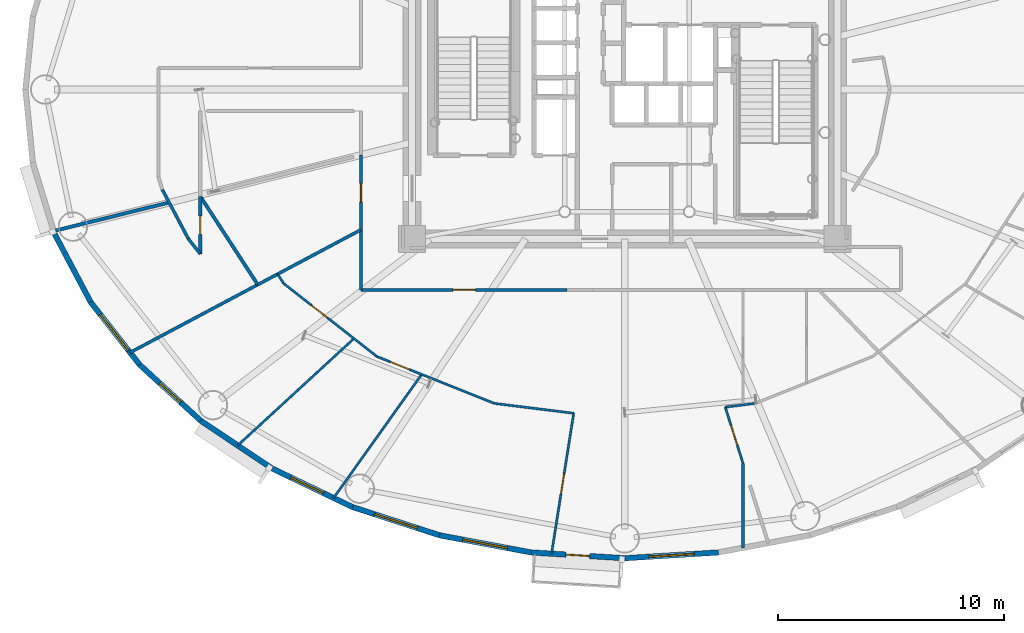
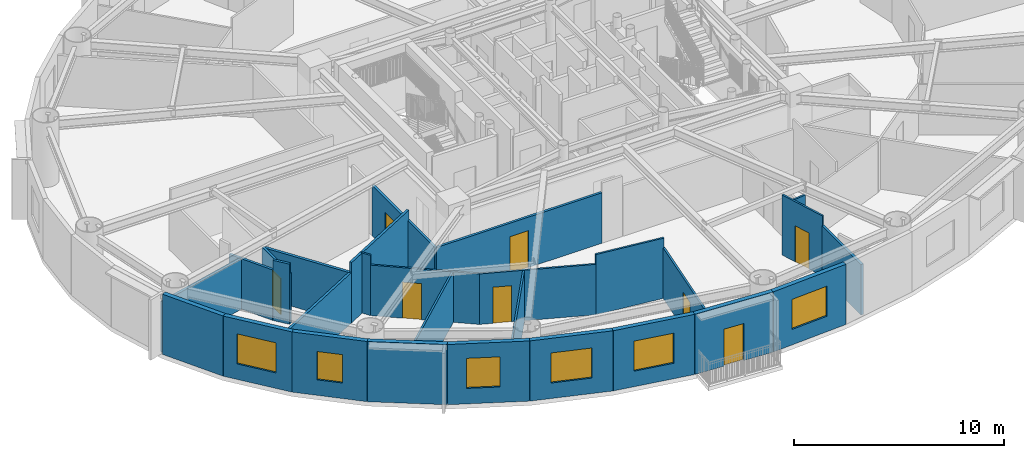
# One storey, part 8 of 19: 29 walls, 8 doors, 6 windows, 14 openings.
"""IFC4 building model written with IfcOpenShell, lengths in metres."""

from ifc_helpers import new_model, si_unit, direction, frame, frame_2d, origin, origin_2d, place, context, subcontext, project, spatial, rectangle, extrude, source, transform, mapped, material, layer, layer_set, type_object, element, fill, save


model = new_model("IFC4")

# Units and contexts
model_context = context("Model", 3, precision=1e-05, world=origin(), true_north=direction((0.0, 1.0)))
body_context = subcontext(model_context, "Body", "Model", "MODEL_VIEW")
ifc_project = project(units=[si_unit("LENGTHUNIT", "METRE"), si_unit("AREAUNIT", "SQUARE_METRE"), si_unit("VOLUMEUNIT", "CUBIC_METRE"), si_unit("PLANEANGLEUNIT", "RADIAN"), si_unit("MASSUNIT", "GRAM", prefix="KILO")], contexts=[model_context])

# Site, building, storey
site_placement = place(None, origin())
site = spatial("IfcSite", under=ifc_project, at=site_placement, CompositionType="ELEMENT")
building_placement = place(site_placement, origin())
building = spatial("IfcBuilding", under=site, at=building_placement, Name="Linh Dai School and Residence Tower", CompositionType="ELEMENT")
storey_placement = place(building_placement, frame((0.0, 0.0, 193.64990234375)))
storey = spatial("IfcBuildingStorey", under=building, at=storey_placement, Name="L47", CompositionType="ELEMENT", Elevation=193.64990234375)

# Wall
ifc_material_1 = material(Name="Precast Concrete B45 (C35/45)", Category="concrete")
ifc_layer_1 = layer(ifc_material_1, 0.239990234375)
ifc_layer_set_1 = layer_set([ifc_layer_1], Name="Precast Concrete B45 (C35/45)")
wall_type_1 = type_object("IfcWallType", Name="EW-TC-240", PredefinedType="SOLIDWALL", material=ifc_layer_set_1)
wall_1_placement = place(storey_placement, frame((12.404052734375, 17.611572265625, 0.0), z_axis=(0.0, 0.0, 1.0), x_axis=(-0.467586874938, 0.88394712194, 0.0)))
element("IfcWall", 1, at=wall_1_placement, inside=storey, type_object=wall_type_1, Name="L47 Terracotta Exterior Wall 23", PredefinedType="SOLIDWALL", context=body_context, shape_type="SweptSolid", body=[
    extrude(rectangle(XDim=3.393310546875, YDim=0.239990234375, at=frame_2d((1.69677734375, 0.0))), origin(), (0.0, 0.0, 1.0), 3.5),
])

# Wall, opening, window
wall_2_placement = place(storey_placement, frame((14.57177734375, 14.841552734375, 0.0), z_axis=(0.0, 0.0, 1.0), x_axis=(-0.616287674549, 0.787521112224, 0.0)))
wall_2 = element("IfcWall", 2, at=wall_2_placement, inside=storey, type_object=wall_type_1, Name="L47 Terracotta Exterior Wall 24", PredefinedType="SOLIDWALL", context=body_context, shape_type="SweptSolid", body=[
    extrude(rectangle(XDim=3.517333984375, YDim=0.239990234375, at=frame_2d((1.7587890625, 0.0))), origin(), (0.0, 0.0, 1.0), 3.5),
])
opening_1_placement = place(wall_2_placement, frame((0.818603515625, 0.0, 0.89990234375)))
opening_1 = element("IfcOpeningElement", 3, at=opening_1_placement, cuts=wall_2, Name="Opening W1", PredefinedType="OPENING", context=body_context, shape_type="SweptSolid", body=[
    extrude(rectangle(XDim=2.0, YDim=1.75, at=origin_2d()), frame((1.0, 0.1298828125, 0.875), z_axis=(0.0, -1.0, 0.0), x_axis=(1.0, 0.0, 0.0)), (0.0, 0.0, 1.0), 0.260009765625),
])
ifc_material_2 = material(Name="Double Low-E Insulated Glazing", Category="glass")
window_type_1 = type_object("IfcWindowType", Name="WN-RES-2000x1750", PartitioningType="DOUBLE_PANEL_VERTICAL", PredefinedType="WINDOW", material=ifc_material_2)
shared_shape_1 = source(origin(), body_context, "Body", "SweptSolid", [
    extrude(rectangle(XDim=2.0, YDim=1.75, at=origin_2d()), frame((1.0, 0.030029296875, 0.875), z_axis=(0.0, -1.0, 0.0), x_axis=(1.0, 0.0, 0.0)), (0.0, 0.0, 1.0), 0.06005859375),
])
window_1_placement = place(opening_1_placement, origin())
window_1 = element("IfcWindow", 4, at=window_1_placement, inside=storey, type_object=window_type_1, Name="L47 Exterior Window 24.1", OverallHeight=1.75, OverallWidth=2.0, PartitioningType="DOUBLE_PANEL_VERTICAL", PredefinedType="WINDOW", context=body_context, shape_type="MappedRepresentation", body=[
    mapped(shared_shape_1, transform((0.0, 0.0, 0.0), x_axis=(1.0, 0.0, 0.0), y_axis=(0.0, 1.0, 0.0), z_axis=(0.0, 0.0, 1.0), scale=1.0)),
])
fill(opening_1, window_1)

wall_3_placement = place(storey_placement, frame((17.26806640625, 12.369384765625, 0.0), z_axis=(0.0, 0.0, 1.0), x_axis=(-0.737076565834, 0.675809245349, 0.0)))
wall_3 = element("IfcWall", 5, at=wall_3_placement, inside=storey, type_object=wall_type_1, Name="L47 Terracotta Exterior Wall 25", PredefinedType="SOLIDWALL", context=body_context, shape_type="SweptSolid", body=[
    extrude(rectangle(XDim=3.658203125, YDim=0.239990234375, at=frame_2d((1.8291015625, 0.0))), origin(), (0.0, 0.0, 1.0), 3.5),
])
opening_2_placement = place(wall_3_placement, frame((1.2041015625, 0.0, 0.89990234375)))
opening_2 = element("IfcOpeningElement", 6, at=opening_2_placement, cuts=wall_3, Name="Opening W3", PredefinedType="OPENING", context=body_context, shape_type="SweptSolid", body=[
    extrude(rectangle(XDim=1.25, YDim=1.64990234375, at=origin_2d()), frame((0.625, 0.1298828125, 0.824951171875), z_axis=(0.0, -1.0, 0.0), x_axis=(1.0, 0.0, 0.0)), (0.0, 0.0, 1.0), 0.260009765625),
])
window_type_2 = type_object("IfcWindowType", Name="WN-RES-1250x1650", PartitioningType="SINGLE_PANEL", PredefinedType="WINDOW", material=ifc_material_2)
shared_shape_2 = source(origin(), body_context, "Body", "SweptSolid", [
    extrude(rectangle(XDim=1.25, YDim=1.64990234375, at=origin_2d()), frame((0.625, 0.030029296875, 0.824951171875), z_axis=(0.0, -1.0, 0.0), x_axis=(1.0, 0.0, 0.0)), (0.0, 0.0, 1.0), 0.06005859375),
])
window_2_placement = place(opening_2_placement, origin())
window_2 = element("IfcWindow", 7, at=window_2_placement, inside=storey, type_object=window_type_2, Name="L47 Dwelling Window U4701-BD1", OverallHeight=1.64990234375, OverallWidth=1.25, PartitioningType="SINGLE_PANEL", PredefinedType="WINDOW", context=body_context, shape_type="MappedRepresentation", body=[
    mapped(shared_shape_2, transform((0.0, 0.0, 0.0), x_axis=(1.0, 0.0, 0.0), y_axis=(0.0, 1.0, 0.0), z_axis=(0.0, 0.0, 1.0), scale=1.0)),
])
fill(opening_2, window_2)

# Wall
wall_4_placement = place(storey_placement, frame((20.4267578125, 10.2568359375, 0.0), z_axis=(0.0, 0.0, 1.0), x_axis=(-0.831228998277, 0.555930168657, 0.0)))
element("IfcWall", 8, at=wall_4_placement, inside=storey, type_object=wall_type_1, Name="L47 Terracotta Exterior Wall 26", PredefinedType="SOLIDWALL", context=body_context, shape_type="SweptSolid", body=[
    extrude(rectangle(XDim=3.800048828125, YDim=0.239990234375, at=frame_2d((1.89990234375, 0.0))), origin(), (0.0, 0.0, 1.0), 3.5),
])

# Wall, opening, window
wall_5_placement = place(storey_placement, frame((23.97021484375, 8.556396484375, 0.0), z_axis=(0.0, 0.0, 1.0), x_axis=(-0.901564733809, 0.432644231155, 0.0)))
wall_5 = element("IfcWall", 9, at=wall_5_placement, inside=storey, type_object=wall_type_1, Name="L47 Terracotta Exterior Wall 27", PredefinedType="SOLIDWALL", context=body_context, shape_type="SweptSolid", body=[
    extrude(rectangle(XDim=3.930419921875, YDim=0.239990234375, at=frame_2d((1.96533203125, 0.0))), origin(), (0.0, 0.0, 1.0), 3.5),
])
opening_3_placement = place(wall_5_placement, frame((1.421142578125, 0.0, 0.89990234375)))
opening_3 = element("IfcOpeningElement", 10, at=opening_3_placement, cuts=wall_5, Name="Opening W2", PredefinedType="OPENING", context=body_context, shape_type="SweptSolid", body=[
    extrude(rectangle(XDim=1.60009765625, YDim=1.75, at=origin_2d()), frame((0.800048828125, 0.1298828125, 0.875), z_axis=(0.0, -1.0, 0.0), x_axis=(1.0, 0.0, 0.0)), (0.0, 0.0, 1.0), 0.260009765625),
])
window_type_3 = type_object("IfcWindowType", Name="WN-RES-1600x1750", PartitioningType="DOUBLE_PANEL_VERTICAL", PredefinedType="WINDOW", material=ifc_material_2)
shared_shape_3 = source(origin(), body_context, "Body", "SweptSolid", [
    extrude(rectangle(XDim=1.60009765625, YDim=1.75, at=origin_2d()), frame((0.800048828125, 0.030029296875, 0.875), z_axis=(0.0, -1.0, 0.0), x_axis=(1.0, 0.0, 0.0)), (0.0, 0.0, 1.0), 0.06005859375),
])
window_3_placement = place(opening_3_placement, origin())
window_3 = element("IfcWindow", 11, at=window_3_placement, inside=storey, type_object=window_type_3, Name="L47 Exterior Window 27.1", OverallHeight=1.75, OverallWidth=1.60009765625, PartitioningType="DOUBLE_PANEL_VERTICAL", PredefinedType="WINDOW", context=body_context, shape_type="MappedRepresentation", body=[
    mapped(shared_shape_3, transform((0.0, 0.0, 0.0), x_axis=(1.0, 0.0, 0.0), y_axis=(0.0, 1.0, 0.0), z_axis=(0.0, 0.0, 1.0), scale=1.0)),
])
fill(opening_3, window_3)

wall_6_placement = place(storey_placement, frame((27.81103515625, 7.310546875, 0.0), z_axis=(0.0, 0.0, 1.0), x_axis=(-0.951209870236, 0.30854462038, 0.0)))
wall_6 = element("IfcWall", 12, at=wall_6_placement, inside=storey, type_object=wall_type_1, Name="L47 Terracotta Exterior Wall 28", PredefinedType="SOLIDWALL", context=body_context, shape_type="SweptSolid", body=[
    extrude(rectangle(XDim=4.037841796875, YDim=0.239990234375, at=frame_2d((2.01904296875, 0.0))), origin(), (0.0, 0.0, 1.0), 3.5),
])
opening_4_placement = place(wall_6_placement, frame((1.018798828125, 0.0, 0.89990234375)))
opening_4 = element("IfcOpeningElement", 13, at=opening_4_placement, cuts=wall_6, Name="Opening W1", PredefinedType="OPENING", context=body_context, shape_type="SweptSolid", body=[
    extrude(rectangle(XDim=2.0, YDim=1.75, at=origin_2d()), frame((1.0, 0.1298828125, 0.875), z_axis=(0.0, -1.0, 0.0), x_axis=(1.0, 0.0, 0.0)), (0.0, 0.0, 1.0), 0.260009765625),
])
window_4_placement = place(opening_4_placement, origin())
window_4 = element("IfcWindow", 14, at=window_4_placement, inside=storey, type_object=window_type_1, Name="L47 Exterior Window 28.1", OverallHeight=1.75, OverallWidth=2.0, PartitioningType="DOUBLE_PANEL_VERTICAL", PredefinedType="WINDOW", context=body_context, shape_type="MappedRepresentation", body=[
    mapped(shared_shape_1, transform((0.0, 0.0, 0.0), x_axis=(1.0, 0.0, 0.0), y_axis=(0.0, 1.0, 0.0), z_axis=(0.0, 0.0, 1.0), scale=1.0)),
])
fill(opening_4, window_4)

wall_7_placement = place(storey_placement, frame((31.854248046875, 6.550537109375, 0.0), z_axis=(0.0, 0.0, 1.0), x_axis=(-0.982788108205, 0.184736391573, 0.0)))
wall_7 = element("IfcWall", 15, at=wall_7_placement, inside=storey, type_object=wall_type_1, Name="L47 Terracotta Exterior Wall 29", PredefinedType="SOLIDWALL", context=body_context, shape_type="SweptSolid", body=[
    extrude(rectangle(XDim=4.114013671875, YDim=0.239990234375, at=frame_2d((2.05712890625, 0.0))), origin(), (0.0, 0.0, 1.0), 3.5),
])
opening_5_placement = place(wall_7_placement, frame((1.056884765625, 0.0, 0.89990234375)))
opening_5 = element("IfcOpeningElement", 16, at=opening_5_placement, cuts=wall_7, Name="Opening W1", PredefinedType="OPENING", context=body_context, shape_type="SweptSolid", body=[
    extrude(rectangle(XDim=2.0, YDim=1.75, at=origin_2d()), frame((1.0, 0.1298828125, 0.875), z_axis=(0.0, -1.0, 0.0), x_axis=(1.0, 0.0, 0.0)), (0.0, 0.0, 1.0), 0.260009765625),
])
window_5_placement = place(opening_5_placement, origin())
window_5 = element("IfcWindow", 17, at=window_5_placement, inside=storey, type_object=window_type_1, Name="L47 Exterior Window 29.1", OverallHeight=1.75, OverallWidth=2.0, PartitioningType="DOUBLE_PANEL_VERTICAL", PredefinedType="WINDOW", context=body_context, shape_type="MappedRepresentation", body=[
    mapped(shared_shape_1, transform((0.0, 0.0, 0.0), x_axis=(1.0, 0.0, 0.0), y_axis=(0.0, 1.0, 0.0), z_axis=(0.0, 0.0, 1.0), scale=1.0)),
])
fill(opening_5, window_5)

# Wall, opening, door
wall_8_placement = place(storey_placement, frame((36.0, 6.294921875, 0.0), z_axis=(0.0, 0.0, 1.0), x_axis=(-0.998104600619, 0.061540281305, 0.0)))
wall_8 = element("IfcWall", 18, at=wall_8_placement, inside=storey, type_object=wall_type_1, Name="L47 Terracotta Exterior Wall 30", PredefinedType="SOLIDWALL", context=body_context, shape_type="SweptSolid", body=[
    extrude(rectangle(XDim=4.153564453125, YDim=0.239990234375, at=frame_2d((2.07666015625, 0.0))), origin(), (0.0, 0.0, 1.0), 3.5),
])
opening_6_placement = place(wall_8_placement, frame((1.5517578125, 0.0, 0.0)))
opening_6 = element("IfcOpeningElement", 19, at=opening_6_placement, cuts=wall_8, Name="Opening BD1", PredefinedType="OPENING", context=body_context, shape_type="SweptSolid", body=[
    extrude(rectangle(XDim=1.050048828125, YDim=2.14990234375, at=origin_2d()), frame((0.52490234375, 0.1298828125, 1.074951171875), z_axis=(0.0, -1.0, 0.0), x_axis=(1.0, 0.0, 0.0)), (0.0, 0.0, 1.0), 0.260009765625),
])
ifc_material_3 = material(Name="Double-Glazed Balcony Door", Category="glass")
door_type_1 = type_object("IfcDoorType", Name="DR-BALC-1050x2150", OperationType="NOTDEFINED", PredefinedType="DOOR", material=ifc_material_3)
shared_shape_4 = source(origin(), body_context, "Body", "SweptSolid", [
    extrude(rectangle(XDim=1.050048828125, YDim=2.14990234375, at=origin_2d()), frame((0.52490234375, 0.02490234375, 1.074951171875), z_axis=(0.0, -1.0, 0.0), x_axis=(1.0, 0.0, 0.0)), (0.0, 0.0, 1.0), 0.050048828125),
])
door_1_placement = place(opening_6_placement, origin())
door_1 = element("IfcDoor", 20, at=door_1_placement, inside=storey, type_object=door_type_1, Name="L47 Glazed Balcony Door 30", OperationType="SINGLE_SWING_LEFT", OverallHeight=2.14990234375, OverallWidth=1.050048828125, PredefinedType="DOOR", context=body_context, shape_type="MappedRepresentation", body=[
    mapped(shared_shape_4, transform((0.0, 0.0, 0.0), x_axis=(1.0, 0.0, 0.0), y_axis=(0.0, 1.0, 0.0), z_axis=(0.0, 0.0, 1.0), scale=1.0)),
])
fill(opening_6, door_1)

# Wall, opening, window
wall_9_placement = place(storey_placement, frame((40.145751953125, 6.550537109375, 0.0), z_axis=(0.0, 0.0, 1.0), x_axis=(-0.998104600619, -0.061540281305, 0.0)))
wall_9 = element("IfcWall", 21, at=wall_9_placement, inside=storey, type_object=wall_type_1, Name="L47 Terracotta Exterior Wall 31", PredefinedType="SOLIDWALL", context=body_context, shape_type="SweptSolid", body=[
    extrude(rectangle(XDim=4.153564453125, YDim=0.239990234375, at=frame_2d((2.07666015625, 0.0))), origin(), (0.0, 0.0, 1.0), 3.5),
])
opening_7_placement = place(wall_9_placement, frame((1.076904296875, 0.0, 0.89990234375)))
opening_7 = element("IfcOpeningElement", 22, at=opening_7_placement, cuts=wall_9, Name="Opening W1", PredefinedType="OPENING", context=body_context, shape_type="SweptSolid", body=[
    extrude(rectangle(XDim=2.0, YDim=1.75, at=origin_2d()), frame((1.0, 0.1298828125, 0.875), z_axis=(0.0, -1.0, 0.0), x_axis=(1.0, 0.0, 0.0)), (0.0, 0.0, 1.0), 0.260009765625),
])
window_6_placement = place(opening_7_placement, origin())
window_6 = element("IfcWindow", 23, at=window_6_placement, inside=storey, type_object=window_type_1, Name="L47 Exterior Window 31.1", OverallHeight=1.75, OverallWidth=2.0, PartitioningType="DOUBLE_PANEL_VERTICAL", PredefinedType="WINDOW", context=body_context, shape_type="MappedRepresentation", body=[
    mapped(shared_shape_1, transform((0.0, 0.0, 0.0), x_axis=(1.0, 0.0, 0.0), y_axis=(0.0, 1.0, 0.0), z_axis=(0.0, 0.0, 1.0), scale=1.0)),
])
fill(opening_7, window_6)

# Walls
ifc_material_4 = material(Name="Autoclaved Aerated Concrete Blockwork", Category="masonry")
ifc_layer_2 = layer(ifc_material_4, 0.135009765625)
ifc_layer_set_2 = layer_set([ifc_layer_2], Name="Autoclaved Aerated Concrete Blockwork")
wall_type_2 = type_object("IfcWallType", Name="IW-CORR-135-EI90", PredefinedType="PARTITIONING", material=ifc_layer_set_2)
wall_10_placement = place(storey_placement, frame((14.14453125, 15.379150390625, 0.0), z_axis=(0.0, 0.0, 1.0), x_axis=(0.882932689309, 0.469499591214, 0.0)))
element("IfcWall", 24, at=wall_10_placement, inside=storey, type_object=wall_type_2, Name="L47 Interior Partition Wall 002", PredefinedType="PARTITIONING", context=body_context, shape_type="SweptSolid", body=[
    extrude(rectangle(XDim=6.392333984375, YDim=0.135009765625, at=frame_2d((3.1962890625, 0.0))), origin(), (0.0, 0.0, 1.0), 2.93505859375),
])
wall_11_placement = place(storey_placement, frame((15.57421875, 22.577880859375, 0.0), z_axis=(0.0, 0.0, 1.0), x_axis=(0.467530807018, -0.883976778252, 0.0)))
element("IfcWall", 25, at=wall_11_placement, inside=storey, type_object=wall_type_2, Name="L47 Interior Partition Wall 006", PredefinedType="PARTITIONING", context=body_context, shape_type="SweptSolid", body=[
    extrude(rectangle(XDim=2.45166015625, YDim=0.135009765625, at=frame_2d((1.225830078125, 0.0))), origin(), (0.0, 0.0, 1.0), 2.93505859375),
])
wall_12_placement = place(storey_placement, frame((16.720458984375, 20.410888671875, 0.0), z_axis=(0.0, 0.0, 1.0), x_axis=(0.616377221056, -0.787451027914, 0.0)))
element("IfcWall", 26, at=wall_12_placement, inside=storey, type_object=wall_type_2, Name="L47 Interior Partition Wall 008", PredefinedType="PARTITIONING", context=body_context, shape_type="SweptSolid", body=[
    extrude(rectangle(XDim=0.859130859375, YDim=0.135009765625, at=frame_2d((0.4296875, 0.0))), origin(), (0.0, 0.0, 1.0), 3.5),
])

# Wall, opening, door
wall_13_placement = place(storey_placement, frame((17.25, 19.734375, 0.0), z_axis=(0.0, 0.0, 1.0), x_axis=(0.0, 1.0, 0.0)))
wall_13 = element("IfcWall", 27, at=wall_13_placement, inside=storey, type_object=wall_type_2, Name="L47 Interior Partition Wall 009", PredefinedType="PARTITIONING", context=body_context, shape_type="SweptSolid", body=[
    extrude(rectangle(XDim=2.547607421875, YDim=0.135009765625, at=frame_2d((1.27392578125, 0.0))), origin(), (0.0, 0.0, 1.0), 2.93505859375),
])
opening_8_placement = place(wall_13_placement, frame((0.86376953125, 0.0, 0.0)))
opening_8 = element("IfcOpeningElement", 28, at=opening_8_placement, cuts=wall_13, Name="Opening D06", PredefinedType="OPENING", context=body_context, shape_type="SweptSolid", body=[
    extrude(rectangle(XDim=0.820068359375, YDim=2.10009765625, at=origin_2d()), frame((0.41015625, 0.07763671875, 1.050048828125), z_axis=(0.0, -1.0, 0.0), x_axis=(1.0, 0.0, 0.0)), (0.0, 0.0, 1.0), 0.155029296875),
])
ifc_material_5 = material(Name="Moisture-Resistant Timber Bathroom Door", Category="wood")
door_type_2 = type_object("IfcDoorType", Name="DR-WET-820x2100", OperationType="NOTDEFINED", PredefinedType="DOOR", material=ifc_material_5)
shared_shape_5 = source(origin(), body_context, "Body", "SweptSolid", [
    extrude(rectangle(XDim=0.820068359375, YDim=2.10009765625, at=origin_2d()), frame((0.41015625, 0.02490234375, 1.050048828125), z_axis=(0.0, -1.0, 0.0), x_axis=(1.0, 0.0, 0.0)), (0.0, 0.0, 1.0), 0.050048828125),
])
door_2_placement = place(opening_8_placement, origin())
door_2 = element("IfcDoor", 29, at=door_2_placement, inside=storey, type_object=door_type_2, Name="L47 Amenity Tea Salon Door", OperationType="SINGLE_SWING_RIGHT", OverallHeight=2.10009765625, OverallWidth=0.820068359375, PredefinedType="DOOR", context=body_context, shape_type="MappedRepresentation", body=[
    mapped(shared_shape_5, transform((0.0, 0.0, 0.0), x_axis=(1.0, 0.0, 0.0), y_axis=(0.0, 1.0, 0.0), z_axis=(0.0, 0.0, 1.0), scale=1.0)),
])
fill(opening_8, door_2)

# Walls
wall_14_placement = place(storey_placement, frame((19.797607421875, 18.385009765625, 0.0), z_axis=(0.0, 0.0, 1.0), x_axis=(0.882964446326, 0.469439864652, 0.0)))
element("IfcWall", 30, at=wall_14_placement, inside=storey, type_object=wall_type_2, Name="L47 Interior Partition Wall 012", PredefinedType="PARTITIONING", context=body_context, shape_type="SweptSolid", body=[
    extrude(rectangle(XDim=0.982421875, YDim=0.135009765625, at=frame_2d((0.4912109375, 0.0))), origin(), (0.0, 0.0, 1.0), 3.5),
])
wall_15_placement = place(storey_placement, frame((20.673828125, 18.850830078125, 0.0), z_axis=(0.0, 0.0, 1.0), x_axis=(0.882934968765, 0.469495304483, 0.0)))
element("IfcWall", 31, at=wall_15_placement, inside=storey, type_object=wall_type_2, Name="L47 Interior Partition Wall 015", PredefinedType="PARTITIONING", context=body_context, shape_type="SweptSolid", body=[
    extrude(rectangle(XDim=4.16357421875, YDim=0.135009765625, at=frame_2d((2.081787109375, 0.0))), origin(), (0.0, 0.0, 1.0), 3.5),
])

# Wall, opening, door
wall_16_placement = place(storey_placement, frame((24.35009765625, 18.14990234375, 0.0), z_axis=(0.0, 0.0, 1.0), x_axis=(0.0, 1.0, 0.0)))
wall_16 = element("IfcWall", 32, at=wall_16_placement, inside=storey, type_object=wall_type_2, Name="L47 Interior Partition Wall 019", PredefinedType="PARTITIONING", context=body_context, shape_type="SweptSolid", body=[
    extrude(rectangle(XDim=5.962646484375, YDim=0.135009765625, at=frame_2d((2.9814453125, 0.0))), origin(), (0.0, 0.0, 1.0), 2.93505859375),
])
opening_9_placement = place(wall_16_placement, frame((3.879150390625, 0.0, 0.0)))
opening_9 = element("IfcOpeningElement", 33, at=opening_9_placement, cuts=wall_16, Name="Opening D06", PredefinedType="OPENING", context=body_context, shape_type="SweptSolid", body=[
    extrude(rectangle(XDim=0.820068359375, YDim=2.10009765625, at=origin_2d()), frame((0.41015625, 0.07763671875, 1.050048828125), z_axis=(0.0, -1.0, 0.0), x_axis=(1.0, 0.0, 0.0)), (0.0, 0.0, 1.0), 0.155029296875),
])
door_3_placement = place(opening_9_placement, origin())
door_3 = element("IfcDoor", 34, at=door_3_placement, inside=storey, type_object=door_type_2, Name="L47 Amenity Accessible WC Door", OperationType="SINGLE_SWING_LEFT", OverallHeight=2.10009765625, OverallWidth=0.820068359375, PredefinedType="DOOR", context=body_context, shape_type="MappedRepresentation", body=[
    mapped(shared_shape_5, transform((0.0, 0.0, 0.0), x_axis=(1.0, 0.0, 0.0), y_axis=(0.0, 1.0, 0.0), z_axis=(0.0, 0.0, 1.0), scale=1.0)),
])
fill(opening_9, door_3)

wall_17_placement = place(storey_placement, frame((24.35009765625, 18.14990234375, 0.0), z_axis=(0.0, 0.0, 1.0), x_axis=(1.0, 0.0, 0.0)))
wall_17 = element("IfcWall", 35, at=wall_17_placement, inside=storey, type_object=wall_type_2, Name="L47 Interior Partition Wall 020", PredefinedType="PARTITIONING", context=body_context, shape_type="SweptSolid", body=[
    extrude(rectangle(XDim=9.108642578125, YDim=0.135009765625, at=frame_2d((4.55419921875, 0.0))), origin(), (0.0, 0.0, 1.0), 2.93505859375),
])
opening_10_placement = place(wall_17_placement, frame((4.05419921875, 0.0, 0.0)))
opening_10 = element("IfcOpeningElement", 36, at=opening_10_placement, cuts=wall_17, Name="Opening D03", PredefinedType="OPENING", context=body_context, shape_type="SweptSolid", body=[
    extrude(rectangle(XDim=1.0, YDim=2.14990234375, at=origin_2d()), frame((0.5, 0.07763671875, 1.074951171875), z_axis=(0.0, -1.0, 0.0), x_axis=(1.0, 0.0, 0.0)), (0.0, 0.0, 1.0), 0.155029296875),
])
ifc_material_6 = material(Name="Fire-Rated Solid Timber Entrance Door", Category="wood")
door_type_3 = type_object("IfcDoorType", Name="DR-FLAT-1000x2150-FD60S", OperationType="NOTDEFINED", PredefinedType="DOOR", material=ifc_material_6)
shared_shape_6 = source(origin(), body_context, "Body", "SweptSolid", [
    extrude(rectangle(XDim=1.0, YDim=2.14990234375, at=origin_2d()), frame((0.5, 0.02490234375, 1.074951171875), z_axis=(0.0, -1.0, 0.0), x_axis=(1.0, 0.0, 0.0)), (0.0, 0.0, 1.0), 0.050048828125),
])
door_4_placement = place(opening_10_placement, origin())
door_4 = element("IfcDoor", 37, at=door_4_placement, inside=storey, type_object=door_type_3, Name="L47 U4701 Apartment Entrance Door", OperationType="SINGLE_SWING_RIGHT", OverallHeight=2.14990234375, OverallWidth=1.0, PredefinedType="DOOR", context=body_context, shape_type="MappedRepresentation", body=[
    mapped(shared_shape_6, transform((0.0, 0.0, 0.0), x_axis=(1.0, 0.0, 0.0), y_axis=(0.0, 1.0, 0.0), z_axis=(0.0, 0.0, 1.0), scale=1.0)),
])
fill(opening_10, door_4)

# Walls
wall_18_placement = place(storey_placement, frame((41.22705078125, 10.4833984375, 0.0), z_axis=(0.0, 0.0, 1.0), x_axis=(0.0, -1.0, 0.0)))
element("IfcWall", 38, at=wall_18_placement, inside=storey, type_object=wall_type_2, Name="L47 Interior Partition Wall 110", PredefinedType="PARTITIONING", context=body_context, shape_type="SweptSolid", body=[
    extrude(rectangle(XDim=3.734619140625, YDim=0.135009765625, at=frame_2d((1.8671875, 0.0))), origin(), (0.0, 0.0, 1.0), 2.93505859375),
])
ifc_layer_3 = layer(ifc_material_4, 0.14990234375)
ifc_layer_set_3 = layer_set([ifc_layer_3], Name="Autoclaved Aerated Concrete Blockwork")
wall_type_3 = type_object("IfcWallType", Name="IW-SCH-150-EI60", PredefinedType="PARTITIONING", material=ifc_layer_set_3)
wall_19_placement = place(storey_placement, frame((10.7705078125, 20.7470703125, 0.0), z_axis=(0.0, 0.0, 1.0), x_axis=(0.970640303721, 0.240535653891, 0.0)))
element("IfcWall", 39, at=wall_19_placement, inside=storey, type_object=wall_type_3, Name="L47 Interior Partition Wall 001", PredefinedType="PARTITIONING", context=body_context, shape_type="SweptSolid", body=[
    extrude(rectangle(XDim=5.257568359375, YDim=0.14990234375, at=frame_2d((2.62890625, 0.0))), origin(), (0.0, 0.0, 1.0), 2.93505859375),
])
wall_20_placement = place(storey_placement, frame((17.279296875, 22.23681640625, 0.0), z_axis=(0.0, 0.0, 1.0), x_axis=(0.545383699519, -0.83818650687, 0.0)))
element("IfcWall", 40, at=wall_20_placement, inside=storey, type_object=wall_type_3, Name="L47 Interior Partition Wall 010", PredefinedType="PARTITIONING", context=body_context, shape_type="SweptSolid", body=[
    extrude(rectangle(XDim=4.600830078125, YDim=0.14990234375, at=frame_2d((2.30029296875, 0.0))), origin(), (0.0, 0.0, 1.0), 2.93505859375),
])
ifc_material_7 = material(Name="Gypsum Plasterboard Acoustic Stud Partition", Category="masonry")
ifc_layer_4 = layer(ifc_material_7, 0.10009765625)
ifc_layer_set_4 = layer_set([ifc_layer_4], Name="Gypsum Plasterboard Acoustic Stud Partition")
wall_type_4 = type_object("IfcWallType", Name="IW-UNIT-100", PredefinedType="PARTITIONING", material=ifc_layer_set_4)
wall_21_placement = place(storey_placement, frame((18.89892578125, 11.2724609375, 0.0), z_axis=(0.0, 0.0, 1.0), x_axis=(0.736047362481, 0.676930040834, 0.0)))
element("IfcWall", 41, at=wall_21_placement, inside=storey, type_object=wall_type_4, Name="L47 Interior Partition Wall 011", PredefinedType="PARTITIONING", context=body_context, shape_type="SweptSolid", body=[
    extrude(rectangle(XDim=6.9833984375, YDim=0.10009765625, at=frame_2d((3.49169921875, 0.0))), origin(), (0.0, 0.0, 1.0), 2.93505859375),
])
wall_22_placement = place(storey_placement, frame((20.6650390625, 18.84619140625, 0.0), z_axis=(0.0, 0.0, 1.0), x_axis=(0.545143704476, -0.838342615802, 0.0)))
element("IfcWall", 42, at=wall_22_placement, inside=storey, type_object=wall_type_4, Name="L47 Interior Partition Wall 014", PredefinedType="PARTITIONING", context=body_context, shape_type="SweptSolid", body=[
    extrude(rectangle(XDim=0.4970703125, YDim=0.10009765625, at=frame_2d((0.24853515625, 0.0))), origin(), (0.0, 0.0, 1.0), 3.5),
])

# Wall, opening, door
wall_23_placement = place(storey_placement, frame((20.93603515625, 18.429443359375, 0.0), z_axis=(0.0, 0.0, 1.0), x_axis=(0.787322805473, -0.61654099619, 0.0)))
wall_23 = element("IfcWall", 43, at=wall_23_placement, inside=storey, type_object=wall_type_4, Name="L47 Interior Partition Wall 016", PredefinedType="PARTITIONING", context=body_context, shape_type="SweptSolid", body=[
    extrude(rectangle(XDim=5.232177734375, YDim=0.10009765625, at=frame_2d((2.6162109375, 0.0))), origin(), (0.0, 0.0, 1.0), 2.93505859375),
])
opening_11_placement = place(wall_23_placement, frame((1.54052734375, 0.0, 0.0)))
opening_11 = element("IfcOpeningElement", 44, at=opening_11_placement, cuts=wall_23, Name="Opening D05", PredefinedType="OPENING", context=body_context, shape_type="SweptSolid", body=[
    extrude(rectangle(XDim=0.89990234375, YDim=2.10009765625, at=origin_2d()), frame((0.449951171875, 0.06005859375, 1.050048828125), z_axis=(0.0, -1.0, 0.0), x_axis=(1.0, 0.0, 0.0)), (0.0, 0.0, 1.0), 0.1201171875),
])
ifc_material_8 = material(Name="Engineered Timber Internal Door", Category="wood")
door_type_4 = type_object("IfcDoorType", Name="DR-INT-900x2100", OperationType="NOTDEFINED", PredefinedType="DOOR", material=ifc_material_8)
shared_shape_7 = source(origin(), body_context, "Body", "SweptSolid", [
    extrude(rectangle(XDim=0.89990234375, YDim=2.10009765625, at=origin_2d()), frame((0.449951171875, 0.02490234375, 1.050048828125), z_axis=(0.0, -1.0, 0.0), x_axis=(1.0, 0.0, 0.0)), (0.0, 0.0, 1.0), 0.050048828125),
])
door_5_placement = place(opening_11_placement, origin())
door_5 = element("IfcDoor", 45, at=door_5_placement, inside=storey, type_object=door_type_4, Name="L47 Apartment U4701 Principal Bedroom 1 Door", OperationType="SINGLE_SWING_LEFT", OverallHeight=2.10009765625, OverallWidth=0.89990234375, PredefinedType="DOOR", context=body_context, shape_type="MappedRepresentation", body=[
    mapped(shared_shape_7, transform((0.0, 0.0, 0.0), x_axis=(1.0, 0.0, 0.0), y_axis=(0.0, 1.0, 0.0), z_axis=(0.0, 0.0, 1.0), scale=1.0)),
])
fill(opening_11, door_5)

# Wall
wall_24_placement = place(storey_placement, frame((23.1357421875, 8.951416015625, 0.0), z_axis=(0.0, 0.0, 1.0), x_axis=(0.580415349728, 0.814320589081, 0.0)))
element("IfcWall", 46, at=wall_24_placement, inside=storey, type_object=wall_type_4, Name="L47 Interior Partition Wall 018", PredefinedType="PARTITIONING", context=body_context, shape_type="SweptSolid", body=[
    extrude(rectangle(XDim=6.710205078125, YDim=0.10009765625, at=frame_2d((3.35498046875, 0.0))), origin(), (0.0, 0.0, 1.0), 2.93505859375),
])

# Wall, opening, door
wall_25_placement = place(storey_placement, frame((25.055419921875, 15.20361328125, 0.0), z_axis=(0.0, 0.0, 1.0), x_axis=(0.928798710424, -0.370584613166, 0.0)))
wall_25 = element("IfcWall", 47, at=wall_25_placement, inside=storey, type_object=wall_type_4, Name="L47 Interior Partition Wall 023", PredefinedType="PARTITIONING", context=body_context, shape_type="SweptSolid", body=[
    extrude(rectangle(XDim=5.588623046875, YDim=0.10009765625, at=frame_2d((2.79443359375, 0.0))), origin(), (0.0, 0.0, 1.0), 2.93505859375),
])
opening_12_placement = place(wall_25_placement, frame((0.63330078125, 0.0, 0.0)))
opening_12 = element("IfcOpeningElement", 48, at=opening_12_placement, cuts=wall_25, Name="Opening D05", PredefinedType="OPENING", context=body_context, shape_type="SweptSolid", body=[
    extrude(rectangle(XDim=0.89990234375, YDim=2.10009765625, at=origin_2d()), frame((0.449951171875, 0.06005859375, 1.050048828125), z_axis=(0.0, -1.0, 0.0), x_axis=(1.0, 0.0, 0.0)), (0.0, 0.0, 1.0), 0.1201171875),
])
door_6_placement = place(opening_12_placement, origin())
door_6 = element("IfcDoor", 49, at=door_6_placement, inside=storey, type_object=door_type_4, Name="L47 Apartment U4701 Study Door", OperationType="SINGLE_SWING_RIGHT", OverallHeight=2.10009765625, OverallWidth=0.89990234375, PredefinedType="DOOR", context=body_context, shape_type="MappedRepresentation", body=[
    mapped(shared_shape_7, transform((0.0, 0.0, 0.0), x_axis=(1.0, 0.0, 0.0), y_axis=(0.0, 1.0, 0.0), z_axis=(0.0, 0.0, 1.0), scale=1.0)),
])
fill(opening_12, door_6)

# Wall
wall_26_placement = place(storey_placement, frame((30.24609375, 13.132568359375, 0.0), z_axis=(0.0, 0.0, 1.0), x_axis=(0.992402005927, -0.123037630959, 0.0)))
element("IfcWall", 50, at=wall_26_placement, inside=storey, type_object=wall_type_4, Name="L47 Interior Partition Wall 027", PredefinedType="PARTITIONING", context=body_context, shape_type="SweptSolid", body=[
    extrude(rectangle(XDim=3.526123046875, YDim=0.10009765625, at=frame_2d((1.76318359375, 0.0))), origin(), (0.0, 0.0, 1.0), 3.5),
])

# Wall, opening, door
wall_27_placement = place(storey_placement, frame((32.766357421875, 6.4892578125, 0.0), z_axis=(0.0, 0.0, 1.0), x_axis=(0.155739200194, 0.987798208909, 0.0)))
wall_27 = element("IfcWall", 51, at=wall_27_placement, inside=storey, type_object=wall_type_4, Name="L47 Interior Partition Wall 035", PredefinedType="PARTITIONING", context=body_context, shape_type="SweptSolid", body=[
    extrude(rectangle(XDim=6.2861328125, YDim=0.10009765625, at=frame_2d((3.14306640625, 0.0))), origin(), (0.0, 0.0, 1.0), 2.93505859375),
])
opening_13_placement = place(wall_27_placement, frame((2.693115234375, 0.0, 0.0)))
opening_13 = element("IfcOpeningElement", 52, at=opening_13_placement, cuts=wall_27, Name="Opening D05", PredefinedType="OPENING", context=body_context, shape_type="SweptSolid", body=[
    extrude(rectangle(XDim=0.89990234375, YDim=2.10009765625, at=origin_2d()), frame((0.449951171875, 0.06005859375, 1.050048828125), z_axis=(0.0, -1.0, 0.0), x_axis=(1.0, 0.0, 0.0)), (0.0, 0.0, 1.0), 0.1201171875),
])
door_7_placement = place(opening_13_placement, origin())
door_7 = element("IfcDoor", 53, at=door_7_placement, inside=storey, type_object=door_type_4, Name="L47 Apartment U4701 Principal Bedroom 2 Door", OperationType="SINGLE_SWING_LEFT", OverallHeight=2.10009765625, OverallWidth=0.89990234375, PredefinedType="DOOR", context=body_context, shape_type="MappedRepresentation", body=[
    mapped(shared_shape_7, transform((0.0, 0.0, 0.0), x_axis=(1.0, 0.0, 0.0), y_axis=(0.0, 1.0, 0.0), z_axis=(0.0, 0.0, 1.0), scale=1.0)),
])
fill(opening_13, door_7)

wall_28_placement = place(storey_placement, frame((40.440185546875, 12.9697265625, 0.0), z_axis=(0.0, 0.0, 1.0), x_axis=(0.301727202982, -0.953394301945, 0.0)))
wall_28 = element("IfcWall", 54, at=wall_28_placement, inside=storey, type_object=wall_type_4, Name="L47 Interior Partition Wall 063", PredefinedType="PARTITIONING", context=body_context, shape_type="SweptSolid", body=[
    extrude(rectangle(XDim=2.60791015625, YDim=0.10009765625, at=frame_2d((1.303955078125, 0.0))), origin(), (0.0, 0.0, 1.0), 3.5),
])
opening_14_placement = place(wall_28_placement, frame((0.85400390625, 0.0, 0.0)))
opening_14 = element("IfcOpeningElement", 55, at=opening_14_placement, cuts=wall_28, Name="Opening D05", PredefinedType="OPENING", context=body_context, shape_type="SweptSolid", body=[
    extrude(rectangle(XDim=0.89990234375, YDim=2.10009765625, at=origin_2d()), frame((0.449951171875, 0.06005859375, 1.050048828125), z_axis=(0.0, -1.0, 0.0), x_axis=(1.0, 0.0, 0.0)), (0.0, 0.0, 1.0), 0.1201171875),
])
door_8_placement = place(opening_14_placement, origin())
door_8 = element("IfcDoor", 56, at=door_8_placement, inside=storey, type_object=door_type_4, Name="L47 Apartment U4701 Principal Bedroom 3 Door", OperationType="SINGLE_SWING_RIGHT", OverallHeight=2.10009765625, OverallWidth=0.89990234375, PredefinedType="DOOR", context=body_context, shape_type="MappedRepresentation", body=[
    mapped(shared_shape_7, transform((0.0, 0.0, 0.0), x_axis=(1.0, 0.0, 0.0), y_axis=(0.0, 1.0, 0.0), z_axis=(0.0, 0.0, 1.0), scale=1.0)),
])
fill(opening_14, door_8)

# Wall
wall_29_placement = place(storey_placement, frame((40.440185546875, 12.9697265625, 0.0), z_axis=(0.0, 0.0, 1.0), x_axis=(0.99240503164, 0.123013223584, 0.0)))
element("IfcWall", 57, at=wall_29_placement, inside=storey, type_object=wall_type_4, Name="L47 Interior Partition Wall 064", PredefinedType="PARTITIONING", context=body_context, shape_type="SweptSolid", body=[
    extrude(rectangle(XDim=1.32373046875, YDim=0.10009765625, at=frame_2d((0.661865234375, 0.0))), origin(), (0.0, 0.0, 1.0), 2.93505859375),
])

save(model, "model.ifc")
